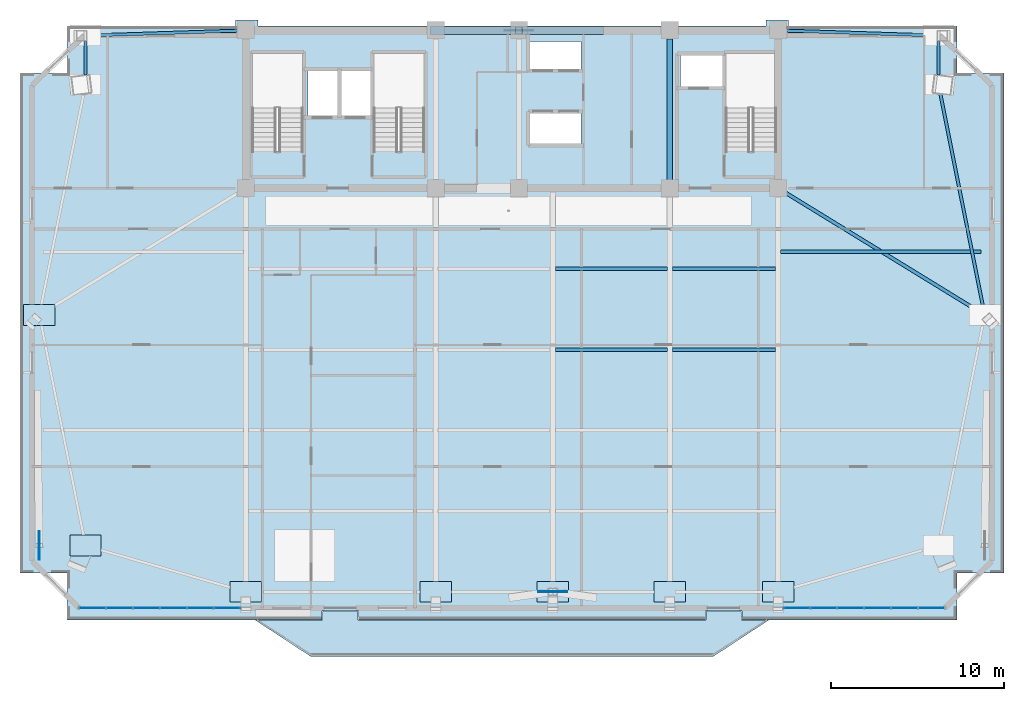
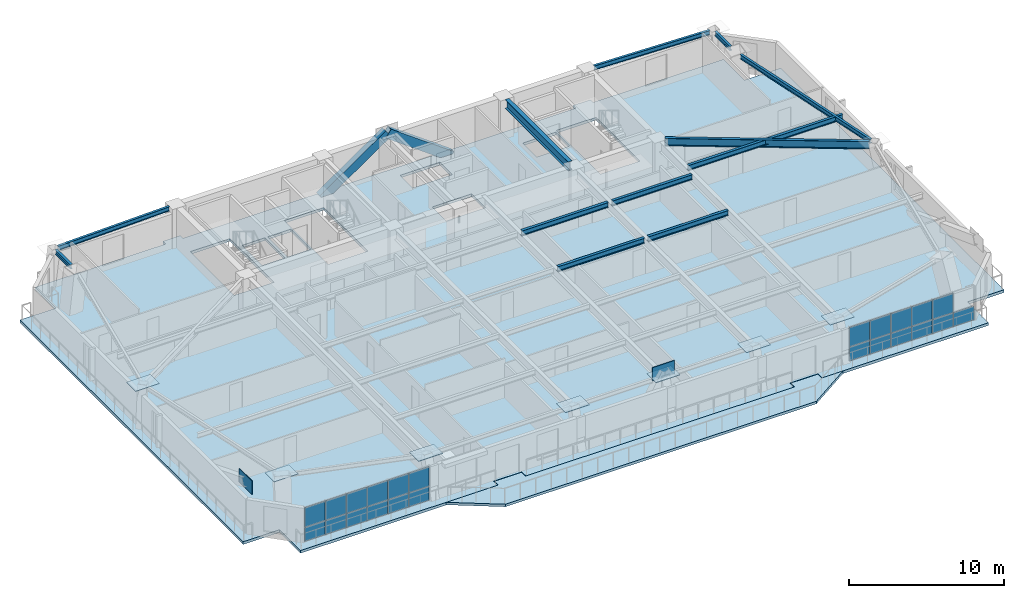
# One storey, part 7 of 16: 32 plates, 12 beams, 2 members, 2 slabs, 2 elements without a shape of their own.
"""IFC4 building model written with IfcOpenShell, lengths in metres."""

import ifcopenshell
import ifcopenshell.guid

model = None  # the IFC model being written
_history = None  # IfcOwnerHistory: only IFC2X3 demands one
_inside = {}  # id of a spatial element -> (the spatial element, [elements in it])
_under = {}  # id of a project, library or spatial element -> (it, [spatial elements below it])
_declared = {}  # id of a project -> (the project, [libraries it declares])
_typed = {}  # id of a type object -> (the type object, [elements of that type])
_made_of = {}  # id of a material, layer set ... -> (it, [elements and type objects made of it])


def new_model(schema):
    """Start an empty IFC model of exactly this schema.

    Asked for "IFC4X3", IfcOpenShell would pick the latest addendum, in which some entities
    have other attributes; the version numbers below select the first issue.
    IFC2X3 requires an IfcOwnerHistory on every rooted entity: one is made here for all.
    """
    global model, _history
    if schema == "IFC4X3":
        model = ifcopenshell.file(schema_version=(4, 3, 0, 0))
    else:
        model = ifcopenshell.file(schema=schema)
    _inside.clear()
    _under.clear()
    _declared.clear()
    _typed.clear()
    _made_of.clear()
    _history = None
    if model.schema == "IFC2X3":
        org = make("IfcOrganization", Name="unknown")
        user = make(
            "IfcPersonAndOrganization",
            ThePerson=make("IfcPerson", FamilyName="unknown"),
            TheOrganization=org,
        )
        app = make(
            "IfcApplication",
            ApplicationDeveloper=org,
            Version="unknown",
            ApplicationFullName="unknown",
            ApplicationIdentifier="unknown",
        )
        _history = make(
            "IfcOwnerHistory",
            OwningUser=user,
            OwningApplication=app,
            ChangeAction="ADDED",
            CreationDate=0,
        )
    return model


def make(cls, **values):
    """One entity of the class cls with the attributes given. An attribute that is None is left unset."""
    return model.create_entity(
        cls, **{name: value for name, value in values.items() if value is not None}
    )


def rooted(cls, **values):
    """An entity with a GlobalId (a new one), such as an element, a storey or a relation."""
    return make(cls, GlobalId=ifcopenshell.guid.new(), OwnerHistory=_history, **values)


def si_unit(unit_type, name, prefix=None):
    """IfcSIUnit, for example si_unit("LENGTHUNIT", "METRE", prefix="MILLI")."""
    return make("IfcSIUnit", UnitType=unit_type, Prefix=prefix, Name=name)


def assignment(units):
    """IfcUnitAssignment: the units of a project."""
    return None if units is None else make("IfcUnitAssignment", Units=units)


def point(xyz):
    """IfcCartesianPoint."""
    return None if xyz is None else make("IfcCartesianPoint", Coordinates=xyz)


def direction(xyz):
    """IfcDirection."""
    return None if xyz is None else make("IfcDirection", DirectionRatios=xyz)


def frame(location, z_axis=None, x_axis=None):
    """IfcAxis2Placement3D, a coordinate frame: its origin and axes. An axis left out is left unset."""
    return make(
        "IfcAxis2Placement3D",
        Location=point(location),
        Axis=direction(z_axis),
        RefDirection=direction(x_axis),
    )


def frame_2d(location, x_axis=None):
    """IfcAxis2Placement2D, a coordinate frame in the plane: its origin and x axis."""
    return make(
        "IfcAxis2Placement2D", Location=point(location), RefDirection=direction(x_axis)
    )


def origin():
    """The frame at (0, 0, 0) with its axes left unset."""
    return frame((0.0, 0.0, 0.0))


def origin_2d():
    """The frame at (0, 0) in the plane with its x axis left unset."""
    return frame_2d((0.0, 0.0))


def place(relative_to, where):
    """IfcLocalPlacement: puts the frame where relative to a parent placement (None: the world)."""
    return make(
        "IfcLocalPlacement", PlacementRelTo=relative_to, RelativePlacement=where
    )


def context(
    kind, dimensions, precision=None, world=None, true_north=None, identifier=None
):
    """IfcGeometricRepresentationContext, for example the 3D "Model" context."""
    return make(
        "IfcGeometricRepresentationContext",
        ContextIdentifier=identifier,
        ContextType=kind,
        CoordinateSpaceDimension=dimensions,
        Precision=precision,
        WorldCoordinateSystem=world,
        TrueNorth=true_north,
    )


def subcontext(parent, identifier, kind, view, scale=None):
    """IfcGeometricRepresentationSubContext, for example "Body" below "Model"."""
    return make(
        "IfcGeometricRepresentationSubContext",
        ContextIdentifier=identifier,
        ContextType=kind,
        ParentContext=parent,
        TargetScale=scale,
        TargetView=view,
    )


def project(units=None, contexts=None):
    """IfcProject with its units and contexts."""
    return rooted(
        "IfcProject",
        Name="project",
        RepresentationContexts=contexts,
        UnitsInContext=assignment(units),
    )


def spatial(cls, under=None, at=None, **own):
    """A site, building, storey or space (cls), placed at a placement, below another one or the project."""
    s = rooted(cls, ObjectPlacement=at, **own)
    if under is not None:
        _under.setdefault(under.id(), (under, []))[1].append(s)
    return s


def polyline(points):
    """IfcPolyline through the points."""
    return make("IfcPolyline", Points=[point(p) for p in points])


def profile(cls, at=None, kind="AREA", **sizes):
    """A parametric profile (cls). Its sizes go by their IFC names, for example OverallWidth=200.0."""
    return make(cls, ProfileType=kind, Position=at, **sizes)


def rectangle(**sizes):
    """IfcRectangleProfileDef."""
    return profile("IfcRectangleProfileDef", **sizes)


def hollow_rectangle(**sizes):
    """IfcRectangleHollowProfileDef."""
    return profile("IfcRectangleHollowProfileDef", **sizes)


def i_section(**sizes):
    """IfcIShapeProfileDef."""
    return profile("IfcIShapeProfileDef", **sizes)


def outline(outer, holes=None, kind="AREA"):
    """IfcArbitraryClosedProfileDef: a profile drawn as a closed curve; with holes, ...WithVoids."""
    if holes is None:
        return make("IfcArbitraryClosedProfileDef", ProfileType=kind, OuterCurve=outer)
    return make(
        "IfcArbitraryProfileDefWithVoids",
        ProfileType=kind,
        OuterCurve=outer,
        InnerCurves=holes,
    )


def extrude(swept, where, along, depth):
    """IfcExtrudedAreaSolid: the profile swept, set in the frame where, extruded along a direction by depth."""
    return make(
        "IfcExtrudedAreaSolid",
        SweptArea=swept,
        Position=where,
        ExtrudedDirection=direction(along),
        Depth=depth,
    )


def shape(context_of_items, identifier, shape_type, items):
    """IfcShapeRepresentation: the items that make up one representation, for example the "Body"."""
    return make(
        "IfcShapeRepresentation",
        ContextOfItems=context_of_items,
        RepresentationIdentifier=identifier,
        RepresentationType=shape_type,
        Items=items,
    )


def source(mapping_origin, context_of_items, identifier, shape_type, items):
    """IfcRepresentationMap: a shape defined once, which mapped items show again and again."""
    return make(
        "IfcRepresentationMap",
        MappingOrigin=mapping_origin,
        MappedRepresentation=shape(context_of_items, identifier, shape_type, items),
    )


def transform(
    local_origin,
    x_axis=None,
    y_axis=None,
    z_axis=None,
    scale=None,
    scale2=None,
    scale3=None,
    uniform=True,
):
    """IfcCartesianTransformationOperator3D, or its non-uniform kind. x_axis, y_axis, z_axis: its Axis1, 2, 3."""
    if uniform:
        return make(
            "IfcCartesianTransformationOperator3D",
            Axis1=direction(x_axis),
            Axis2=direction(y_axis),
            LocalOrigin=point(local_origin),
            Scale=scale,
            Axis3=direction(z_axis),
        )
    return make(
        "IfcCartesianTransformationOperator3DnonUniform",
        Axis1=direction(x_axis),
        Axis2=direction(y_axis),
        LocalOrigin=point(local_origin),
        Scale=scale,
        Axis3=direction(z_axis),
        Scale2=scale2,
        Scale3=scale3,
    )


def mapped(mapping_source, mapping_target):
    """IfcMappedItem: shows the shape of a source again, moved by a transform."""
    return make(
        "IfcMappedItem", MappingSource=mapping_source, MappingTarget=mapping_target
    )


def material(Name=None, Category=None):
    """IfcMaterial."""
    return make("IfcMaterial", Name=Name, Category=Category)


def layer(
    of_material, thickness, ventilated=None, Name=None, Category=None, Priority=None
):
    """IfcMaterialLayer: one layer of a wall or slab, of a material (None: an air gap)."""
    return make(
        "IfcMaterialLayer",
        Material=of_material,
        LayerThickness=thickness,
        IsVentilated=ventilated,
        Name=Name,
        Category=Category,
        Priority=Priority,
    )


def layer_set(layers, Name=None):
    """IfcMaterialLayerSet."""
    return make("IfcMaterialLayerSet", MaterialLayers=layers, LayerSetName=Name)


def material_profile(
    of_material, cross_section, Name=None, Category=None, Priority=None
):
    """IfcMaterialProfile: a cross section and its material."""
    return make(
        "IfcMaterialProfile",
        Name=Name,
        Material=of_material,
        Profile=cross_section,
        Priority=Priority,
        Category=Category,
    )


def profile_set(profiles, Name=None, composite=None):
    """IfcMaterialProfileSet."""
    return make(
        "IfcMaterialProfileSet",
        Name=Name,
        MaterialProfiles=profiles,
        CompositeProfile=composite,
    )


def made_of(thing, what):
    """Note that an element or type object is made of a material, layer set ...; save() writes the relation."""
    if what is not None:
        _made_of.setdefault(what.id(), (what, []))[1].append(thing)
    return thing


def type_object(cls, material=None, **own):
    """A type object (cls), such as IfcWallType, which elements share."""
    return made_of(rooted(cls, **own), material)


def element(
    cls,
    number,
    at=None,
    inside=None,
    cuts=None,
    type_object=None,
    material=None,
    context=None,
    identifier="Body",
    shape_type=None,
    held_by="IfcProductDefinitionShape",
    body=None,
    shapes=None,
    **own,
):
    """One element of the class cls, such as IfcWall. Its Tag is "e" and its number.

    at: its placement. inside: the storey or other place that contains it. cuts: it is an
    opening in that element (IfcRelVoidsElement). A single representation is given by context,
    identifier, shape_type and body (its items); several are given by shapes. held_by: the class
    of the entity that holds the representations. save() writes the other relations.
    """
    e = rooted(cls, Tag="e%d" % number, ObjectPlacement=at, **own)
    if body is not None:
        shapes = [shape(context, identifier, shape_type, body)]
    if shapes is not None:
        e.Representation = make(held_by, Representations=shapes)
    if inside is not None:
        _inside.setdefault(inside.id(), (inside, []))[1].append(e)
    if cuts is not None:
        rooted(
            "IfcRelVoidsElement", RelatingBuildingElement=cuts, RelatedOpeningElement=e
        )
    if type_object is not None:
        _typed.setdefault(type_object.id(), (type_object, []))[1].append(e)
    return made_of(e, material)


def aggregate(whole, parts):
    """IfcRelAggregates: a whole, such as a stair, and the parts it consists of."""
    return rooted("IfcRelAggregates", RelatingObject=whole, RelatedObjects=parts)


def save(model, path):
    """Write the relations noted so far, then the file.

    IfcRelAggregates (storeys below a building ...), IfcRelContainedInSpatialStructure (elements
    in a storey), IfcRelDefinesByType, IfcRelAssociatesMaterial and IfcRelDeclares: one each for
    every whole, place, type object, material and project.
    """
    for whole, parts in _under.values():
        aggregate(whole, parts)
    for where, things in _inside.values():
        rooted(
            "IfcRelContainedInSpatialStructure",
            RelatedElements=things,
            RelatingStructure=where,
        )
    for kind, things in _typed.values():
        rooted("IfcRelDefinesByType", RelatedObjects=things, RelatingType=kind)
    for what, things in _made_of.values():
        rooted("IfcRelAssociatesMaterial", RelatedObjects=things, RelatingMaterial=what)
    for by, libraries in _declared.values():
        rooted("IfcRelDeclares", RelatingContext=by, RelatedDefinitions=libraries)
    model.write(path)


model = new_model("IFC4")

# Units and contexts
model_context = context("Model", 3, precision=1e-05, world=origin(), true_north=direction((0.0, 1.0)))
body_context = subcontext(model_context, "Body", "Model", "MODEL_VIEW")
ifc_project = project(units=[si_unit("LENGTHUNIT", "METRE"), si_unit("AREAUNIT", "SQUARE_METRE"), si_unit("VOLUMEUNIT", "CUBIC_METRE"), si_unit("PLANEANGLEUNIT", "RADIAN"), si_unit("MASSUNIT", "GRAM", prefix="KILO")], contexts=[model_context])

# Site, building, storey
site_placement = place(None, origin())
site = spatial("IfcSite", under=ifc_project, at=site_placement, CompositionType="ELEMENT")
building_placement = place(site_placement, origin())
building = spatial("IfcBuilding", under=site, at=building_placement, Name="Giltprow Tower", CompositionType="ELEMENT")
storey_placement = place(building_placement, frame((0.0, 0.0, 233.800048828125)))
storey = spatial("IfcBuildingStorey", under=building, at=storey_placement, Name="L59", CompositionType="ELEMENT", Elevation=233.800048828125)

# Beams
ifc_material_1 = material(Name="Structural steel Q355B", Category="steel")
ifc_material_profile_1 = material_profile(ifc_material_1, i_section(OverallWidth=0.300048828125, OverallDepth=0.699951171875, WebThickness=0.012939453125, FlangeThickness=0.02392578125, at=origin_2d()), Name="HN 700x300x13x24")
ifc_profile_set_1 = profile_set([ifc_material_profile_1], Name="Structural steel Q355B")
beam_type_1 = type_object("IfcBeamType", Name="BM-GIRD-HN700", PredefinedType="BEAM", material=ifc_profile_set_1)
shared_shape_1 = source(origin(), body_context, "Body", "SweptSolid", [
    extrude(i_section(OverallWidth=0.300048828125, OverallDepth=0.699951171875, WebThickness=0.012939453125, FlangeThickness=0.02392578125, at=origin_2d()), origin(), (0.0, 0.0, 1.0), 8.1298828125),
])
beam_1_placement = place(storey_placement, frame((44.300048828125, 37.93505859375, 2.77001953125), z_axis=(0.0, 1.0, 0.0), x_axis=(-1.0, 0.0, 0.0)))
element("IfcBeam", 1, at=beam_1_placement, inside=storey, type_object=beam_type_1, Name="L59 Core Tie Girder M3", PredefinedType="BEAM", context=body_context, shape_type="MappedRepresentation", body=[
    mapped(shared_shape_1, transform((0.0, 0.0, 0.0), x_axis=(1.0, 0.0, 0.0), y_axis=(0.0, 1.0, 0.0), z_axis=(0.0, 0.0, 1.0), scale=1.0)),
])
ifc_material_profile_2 = material_profile(ifc_material_1, i_section(OverallWidth=0.199951171875, OverallDepth=0.39990234375, WebThickness=0.008056640625, FlangeThickness=0.012939453125, at=origin_2d()), Name="HN 400x200x8x13")
ifc_profile_set_2 = profile_set([ifc_material_profile_2], Name="Structural steel Q355B")
beam_type_2 = type_object("IfcBeamType", Name="BM-JOIST-HN400", PredefinedType="JOIST", material=ifc_profile_set_2)
shared_shape_2 = source(origin(), body_context, "Body", "SweptSolid", [
    extrude(i_section(OverallWidth=0.199951171875, OverallDepth=0.39990234375, WebThickness=0.008056640625, FlangeThickness=0.012939453125, at=origin_2d()), origin(), (0.0, 0.0, 1.0), 6.4599609375),
])
for number, where, z_axis, x_axis, name in (
    (2, (37.695068359375, 28.14306640625, 2.919921875), (1.0, 0.0, 0.0), (0.0, 1.0, 0.0), "L59 Composite Floor Joist 3-3"),
    (3, (37.695068359375, 32.7958984375, 2.919921875), (1.0, 0.0, 0.0), (0.0, 1.0, 0.0), "L59 Composite Floor Joist 4-3"),
):
    element("IfcBeam", number, at=place(storey_placement, frame(where, z_axis=z_axis, x_axis=x_axis)), inside=storey, type_object=beam_type_2, Name=name, PredefinedType="JOIST", context=body_context, shape_type="MappedRepresentation", body=[
        mapped(shared_shape_2, transform((0.0, 0.0, 0.0), x_axis=(1.0, 0.0, 0.0), y_axis=(0.0, 1.0, 0.0), z_axis=(0.0, 0.0, 1.0), scale=1.0)),
    ])
shared_shape_3 = source(origin(), body_context, "Body", "SweptSolid", [
    extrude(i_section(OverallWidth=0.199951171875, OverallDepth=0.39990234375, WebThickness=0.008056640625, FlangeThickness=0.012939453125, at=origin_2d()), origin(), (0.0, 0.0, 1.0), 5.9599609375),
])
for number, where, z_axis, x_axis, name in (
    (4, (44.445068359375, 28.14306640625, 2.919921875), (1.0, 0.0, 0.0), (0.0, 1.0, 0.0), "L59 Composite Floor Joist 3-4"),
    (5, (44.445068359375, 32.7958984375, 2.919921875), (1.0, 0.0, 0.0), (0.0, 1.0, 0.0), "L59 Composite Floor Joist 4-4"),
):
    element("IfcBeam", number, at=place(storey_placement, frame(where, z_axis=z_axis, x_axis=x_axis)), inside=storey, type_object=beam_type_2, Name=name, PredefinedType="JOIST", context=body_context, shape_type="MappedRepresentation", body=[
        mapped(shared_shape_3, transform((0.0, 0.0, 0.0), x_axis=(1.0, 0.0, 0.0), y_axis=(0.0, 1.0, 0.0), z_axis=(0.0, 0.0, 1.0), scale=1.0)),
    ])
ifc_material_profile_3 = material_profile(ifc_material_1, i_section(OverallWidth=0.175048828125, OverallDepth=0.35009765625, WebThickness=0.007080078125, FlangeThickness=0.010986328125, at=origin_2d()), Name="HN 350x175x7x11")
ifc_profile_set_3 = profile_set([ifc_material_profile_3], Name="Structural steel Q355B")
beam_type_3 = type_object("IfcBeamType", Name="BM-SPAN-HN350", PredefinedType="SPANDREL", material=ifc_profile_set_3)
shared_shape_4 = source(origin(), body_context, "Body", "SweptSolid", [
    extrude(i_section(OverallWidth=0.175048828125, OverallDepth=0.35009765625, WebThickness=0.007080078125, FlangeThickness=0.010986328125, at=origin_2d()), origin(), (0.0, 0.0, 1.0), 12.74169921875),
])
beam_2_placement = place(storey_placement, frame((62.39599609375, 30.419921875, 2.945068359375), z_axis=(-0.19620456789, 0.980562984993, 0.0), x_axis=(-0.980562984993, -0.19620456789, 0.0)))
element("IfcBeam", 6, at=beam_2_placement, inside=storey, type_object=beam_type_3, Name="L59 Perimeter Spandrel Beam E_MID-MC_NE", PredefinedType="SPANDREL", context=body_context, shape_type="MappedRepresentation", body=[
    mapped(shared_shape_4, transform((0.0, 0.0, 0.0), x_axis=(1.0, 0.0, 0.0), y_axis=(0.0, 1.0, 0.0), z_axis=(0.0, 0.0, 1.0), scale=1.0)),
])
shared_shape_5 = source(origin(), body_context, "Body", "SweptSolid", [
    extrude(i_section(OverallWidth=0.175048828125, OverallDepth=0.35009765625, WebThickness=0.007080078125, FlangeThickness=0.010986328125, at=origin_2d()), origin(), (0.0, 0.0, 1.0), 1.990966796875),
])
for number, where, z_axis, x_axis, name in (
    (7, (59.791015625, 43.97412109375, 2.945068359375), (0.0, 1.0, 0.0), (-1.0, 0.0, 0.0), "L59 Perimeter Spandrel Beam MC_NE-N_E"),
    (8, (10.60888671875, 45.965087890625, 2.945068359375), (0.0, -1.0, 0.0), (1.0, 0.0, 0.0), "L59 Perimeter Spandrel Beam N_W-MC_NW"),
):
    element("IfcBeam", number, at=place(storey_placement, frame(where, z_axis=z_axis, x_axis=x_axis)), inside=storey, type_object=beam_type_3, Name=name, PredefinedType="SPANDREL", context=body_context, shape_type="MappedRepresentation", body=[
        mapped(shared_shape_5, transform((0.0, 0.0, 0.0), x_axis=(1.0, 0.0, 0.0), y_axis=(0.0, 1.0, 0.0), z_axis=(0.0, 0.0, 1.0), scale=1.0)),
    ])
shared_shape_6 = source(origin(), body_context, "Body", "SweptSolid", [
    extrude(i_section(OverallWidth=0.175048828125, OverallDepth=0.35009765625, WebThickness=0.007080078125, FlangeThickness=0.010986328125, at=origin_2d()), origin(), (0.0, 0.0, 1.0), 8.475341796875),
])
beam_3_placement = place(storey_placement, frame((10.89404296875, 46.259033203125, 2.945068359375), z_axis=(0.999473837293, 0.032435298175, 0.0), x_axis=(-0.032435298175, 0.999473837293, 0.0)))
element("IfcBeam", 9, at=beam_3_placement, inside=storey, type_object=beam_type_3, Name="L59 North Wing Spandrel W", PredefinedType="SPANDREL", context=body_context, shape_type="MappedRepresentation", body=[
    mapped(shared_shape_6, transform((0.0, 0.0, 0.0), x_axis=(1.0, 0.0, 0.0), y_axis=(0.0, 1.0, 0.0), z_axis=(0.0, 0.0, 1.0), scale=1.0)),
])
shared_shape_7 = source(origin(), body_context, "Body", "SweptSolid", [
    extrude(i_section(OverallWidth=0.175048828125, OverallDepth=0.35009765625, WebThickness=0.007080078125, FlangeThickness=0.010986328125, at=origin_2d()), origin(), (0.0, 0.0, 1.0), 8.4755859375),
])
beam_4_placement = place(storey_placement, frame((51.034912109375, 46.533935546875, 2.945068359375), z_axis=(0.999473867596, -0.03243436437, 0.0), x_axis=(0.03243436437, 0.999473867596, 0.0)))
element("IfcBeam", 10, at=beam_4_placement, inside=storey, type_object=beam_type_3, Name="L59 North Wing Spandrel E", PredefinedType="SPANDREL", context=body_context, shape_type="MappedRepresentation", body=[
    mapped(shared_shape_7, transform((0.0, 0.0, 0.0), x_axis=(1.0, 0.0, 0.0), y_axis=(0.0, 1.0, 0.0), z_axis=(0.0, 0.0, 1.0), scale=1.0)),
])
ifc_material_profile_4 = material_profile(ifc_material_1, i_section(OverallWidth=0.199951171875, OverallDepth=0.60009765625, WebThickness=0.010986328125, FlangeThickness=0.01708984375, at=origin_2d()), Name="HN 600x200x11x17")
ifc_profile_set_4 = profile_set([ifc_material_profile_4], Name="Structural steel Q355B")
beam_type_4 = type_object("IfcBeamType", Name="BM-GIRD-HN600", PredefinedType="BEAM", material=ifc_profile_set_4)
shared_shape_8 = source(origin(), body_context, "Body", "SweptSolid", [
    extrude(i_section(OverallWidth=0.199951171875, OverallDepth=0.60009765625, WebThickness=0.010986328125, FlangeThickness=0.01708984375, at=origin_2d()), origin(), (0.0, 0.0, 1.0), 13.197265625),
])
beam_5_placement = place(storey_placement, frame((62.208984375, 30.2900390625, 2.820068359375), z_axis=(-0.85215400358, 0.523291079786, 0.0), x_axis=(-0.523291079786, -0.85215400358, 0.0)))
element("IfcBeam", 11, at=beam_5_placement, inside=storey, type_object=beam_type_4, Name="L59 East Wing Primary Girder", PredefinedType="BEAM", context=body_context, shape_type="MappedRepresentation", body=[
    mapped(shared_shape_8, transform((0.0, 0.0, 0.0), x_axis=(1.0, 0.0, 0.0), y_axis=(0.0, 1.0, 0.0), z_axis=(0.0, 0.0, 1.0), scale=1.0)),
])
shared_shape_9 = source(origin(), body_context, "Body", "SweptSolid", [
    extrude(i_section(OverallWidth=0.199951171875, OverallDepth=0.39990234375, WebThickness=0.008056640625, FlangeThickness=0.012939453125, at=origin_2d()), origin(), (0.0, 0.0, 1.0), 11.536865234375),
])
beam_6_placement = place(storey_placement, frame((50.695068359375, 33.7958984375, 2.919921875), z_axis=(1.0, 0.0, 0.0), x_axis=(0.0, 1.0, 0.0)))
element("IfcBeam", 12, at=beam_6_placement, inside=storey, type_object=beam_type_2, Name="L59 East Wing Floor Joist 2", PredefinedType="JOIST", context=body_context, shape_type="MappedRepresentation", body=[
    mapped(shared_shape_9, transform((0.0, 0.0, 0.0), x_axis=(1.0, 0.0, 0.0), y_axis=(0.0, 1.0, 0.0), z_axis=(0.0, 0.0, 1.0), scale=1.0)),
])

# Members
ifc_material_2 = material(Name="Structural steel Q420GJC", Category="steel")
ifc_material_profile_5 = material_profile(ifc_material_2, hollow_rectangle(XDim=0.449951171875, YDim=0.699951171875, WallThickness=0.031982421875, at=origin_2d()), Name="RHS 700x450x32")
ifc_profile_set_5 = profile_set([ifc_material_profile_5], Name="Structural steel Q420GJC")
member_type = type_object("IfcMemberType", Name="MBR-MEGA-RHS700", PredefinedType="BRACE", material=ifc_profile_set_5)
shared_shape_10 = source(origin(), body_context, "Body", "SweptSolid", [
    extrude(hollow_rectangle(XDim=0.449951171875, YDim=0.699951171875, WallThickness=0.031982421875, at=origin_2d()), origin(), (0.0, 0.0, 1.0), 5.774169921875),
])
member_1_placement = place(storey_placement, frame((40.26708984375, 46.550048828125, -0.14013671875), z_axis=(-0.808243970451, 0.0, 0.588847759807), x_axis=(0.0, -1.0, 0.0)))
element("IfcMember", 13, at=member_1_placement, inside=storey, type_object=member_type, Name="L59 Chevron Mega-Brace N-R", PredefinedType="BRACE", context=body_context, shape_type="MappedRepresentation", body=[
    mapped(shared_shape_10, transform((0.0, 0.0, 0.0), x_axis=(1.0, 0.0, 0.0), y_axis=(0.0, 1.0, 0.0), z_axis=(0.0, 0.0, 1.0), scale=1.0)),
])
shared_shape_11 = source(origin(), body_context, "Body", "SweptSolid", [
    extrude(hollow_rectangle(XDim=0.449951171875, YDim=0.699951171875, WallThickness=0.031982421875, at=origin_2d()), origin(), (0.0, 0.0, 1.0), 5.991455078125),
])
member_2_placement = place(storey_placement, frame((30.6669921875, 46.550048828125, -0.14013671875), z_axis=(0.823368394688, 0.0, 0.567507256895), x_axis=(0.0, 1.0, 0.0)))
element("IfcMember", 14, at=member_2_placement, inside=storey, type_object=member_type, Name="L59 Chevron Mega-Brace N-L", PredefinedType="BRACE", context=body_context, shape_type="MappedRepresentation", body=[
    mapped(shared_shape_11, transform((0.0, 0.0, 0.0), x_axis=(1.0, 0.0, 0.0), y_axis=(0.0, 1.0, 0.0), z_axis=(0.0, 0.0, 1.0), scale=1.0)),
])

# Slabs
ifc_material_3 = material(Name="Concrete C40", Category="concrete")
ifc_layer_1 = layer(ifc_material_3, 0.199951171875, Name="Concrete C40")
ifc_layer_set_1 = layer_set([ifc_layer_1], Name="Concrete C40")
slab_type_1 = type_object("IfcSlabType", Name="SLB-BALC-BRONZE-200", PredefinedType="FLOOR", material=ifc_layer_set_1)
slab_1_placement = place(storey_placement, frame((0.0, 0.0, -0.199951171875)))
element("IfcSlab", 15, at=slab_1_placement, inside=storey, type_object=slab_type_1, Name="L59 Bronze Prow Waterfront Balcony Slab", PredefinedType="FLOOR", context=body_context, shape_type="SweptSolid", body=[
    extrude(outline(polyline([(50.0, 12.550048828125), (46.800048828125, 10.449951171875), (23.60009765625, 10.449951171875), (20.39990234375, 12.550048828125), (24.280029296875, 12.550048828125), (24.280029296875, 13.050048828125), (26.320068359375, 13.050048828125), (26.320068359375, 12.550048828125), (46.3798828125, 12.550048828125), (46.3798828125, 13.050048828125), (48.419921875, 13.050048828125), (48.419921875, 12.550048828125), (50.0, 12.550048828125)])), origin(), (0.0, 0.0, 1.0), 0.199951171875),
])
ifc_layer_2 = layer(ifc_material_3, 0.215087890625, Name="Concrete C40")
ifc_layer_set_2 = layer_set([ifc_layer_2], Name="Concrete C40")
slab_type_2 = type_object("IfcSlabType", Name="SLB-RES-215", PredefinedType="FLOOR", material=ifc_layer_set_2)
slab_2_placement = place(storey_placement, frame((0.0, 0.0, -0.215087890625)))
element("IfcSlab", 16, at=slab_2_placement, inside=storey, type_object=slab_type_2, Name="L59 Structural Composite Floor Slab", PredefinedType="FLOOR", context=body_context, shape_type="SweptSolid", body=[
    extrude(outline(polyline([(63.56689453125, 44.093017578125), (63.56689453125, 15.257080078125), (60.860107421875, 15.257080078125), (60.860107421875, 12.550048828125), (48.449951171875, 12.550048828125), (48.449951171875, 13.070068359375), (46.35009765625, 13.070068359375), (46.35009765625, 12.550048828125), (26.35009765625, 12.550048828125), (26.35009765625, 13.070068359375), (24.25, 13.070068359375), (24.25, 12.550048828125), (9.5400390625, 12.550048828125), (9.5400390625, 15.257080078125), (6.8330078125, 15.257080078125), (6.8330078125, 44.093017578125), (9.5400390625, 44.093017578125), (9.5400390625, 46.800048828125), (19.25, 46.800048828125), (19.25, 47.14990234375), (20.550048828125, 47.14990234375), (20.550048828125, 46.800048828125), (49.85009765625, 46.800048828125), (49.85009765625, 47.14990234375), (51.14990234375, 47.14990234375), (51.14990234375, 46.800048828125), (60.860107421875, 46.800048828125), (60.860107421875, 44.093017578125), (63.56689453125, 44.093017578125)]), holes=[polyline([(39.18994140625, 41.800048828125), (36.239990234375, 41.800048828125), (36.239990234375, 40.0), (39.18994140625, 40.0), (39.18994140625, 41.800048828125)]), polyline([(23.159912109375, 39.570068359375), (23.159912109375, 45.25), (20.199951171875, 45.25), (20.199951171875, 39.570068359375), (23.159912109375, 39.570068359375)]), polyline([(30.159912109375, 39.570068359375), (30.159912109375, 45.25), (27.199951171875, 45.25), (27.199951171875, 39.570068359375), (30.159912109375, 39.570068359375)]), polyline([(50.4599609375, 45.25), (47.5, 45.25), (47.5, 39.570068359375), (50.4599609375, 39.570068359375), (50.4599609375, 45.25)]), polyline([(25.169921875, 44.199951171875), (23.449951171875, 44.199951171875), (23.449951171875, 41.60009765625), (25.169921875, 41.60009765625), (25.169921875, 44.199951171875)]), polyline([(27.10009765625, 44.199951171875), (25.35009765625, 44.199951171875), (25.35009765625, 41.60009765625), (27.10009765625, 41.60009765625), (27.10009765625, 44.199951171875)]), polyline([(47.3798828125, 43.300048828125), (47.3798828125, 45.10009765625), (44.919921875, 45.10009765625), (44.919921875, 43.300048828125), (47.3798828125, 43.300048828125)]), polyline([(39.18994140625, 44.300048828125), (39.18994140625, 45.919921875), (36.239990234375, 45.919921875), (36.239990234375, 44.300048828125), (39.18994140625, 44.300048828125)])]), origin(), (0.0, 0.0, 1.0), 0.215087890625),
])

# Plates
plate_type_1 = type_object("IfcPlateType", Name="PLT-NODE-CKN1", PredefinedType="USERDEFINED", material=ifc_material_2)
shared_shape_12 = source(origin(), body_context, "Body", "SweptSolid", [
    extrude(rectangle(XDim=1.800048828125, YDim=1.199951171875, at=origin_2d()), origin(), (0.0, 0.0, 1.0), 0.044921875),
])
for number, where, z_axis, x_axis, name in (
    (17, (10.60888671875, 16.843017578125, 3.077392578125), (0.0, 0.0, 1.0), (1.0, 0.0, 0.0), "CKN1 Column Taper Splice Node L59-MC_SW"),
    (18, (19.85009765625, 14.181884765625, 3.077392578125), (0.0, 0.0, 1.0), (1.0, 0.0, 0.0), "CKN1 Column Taper Splice Node L59-S1"),
    (19, (30.800048828125, 14.181884765625, 3.077392578125), (0.0, 0.0, 1.0), (1.0, 0.0, 0.0), "CKN1 Column Taper Splice Node L59-S2"),
    (20, (37.550048828125, 14.181884765625, 3.077392578125), (0.0, 0.0, 1.0), (1.0, 0.0, 0.0), "CKN1 Column Taper Splice Node L59-S_MID"),
    (21, (44.300048828125, 14.181884765625, 3.077392578125), (0.0, 0.0, 1.0), (1.0, 0.0, 0.0), "CKN1 Column Taper Splice Node L59-S3"),
    (22, (50.550048828125, 14.181884765625, 3.077392578125), (0.0, 0.0, 1.0), (1.0, 0.0, 0.0), "CKN1 Column Taper Splice Node L59-S4"),
    (23, (7.947998046875, 30.14111328125, 3.077392578125), (0.0, 0.0, 1.0), (1.0, 0.0, 0.0), "CKN1 Column Taper Splice Node L59-W_MID"),
):
    element("IfcPlate", number, at=place(storey_placement, frame(where, z_axis=z_axis, x_axis=x_axis)), inside=storey, type_object=plate_type_1, Name=name, ObjectType="SPLICE", PredefinedType="USERDEFINED", context=body_context, shape_type="MappedRepresentation", body=[
        mapped(shared_shape_12, transform((0.0, 0.0, 0.0), x_axis=(1.0, 0.0, 0.0), y_axis=(0.0, 1.0, 0.0), z_axis=(0.0, 0.0, 1.0), scale=1.0)),
    ])
plate_type_2 = type_object("IfcPlateType", Name="PLT-NODE-MBN2", PredefinedType="USERDEFINED", material=ifc_material_2)
shared_shape_13 = source(origin(), body_context, "Body", "SweptSolid", [
    extrude(rectangle(XDim=1.64990234375, YDim=0.044921875, at=origin_2d()), origin(), (0.0, 0.0, 1.0), 1.050048828125),
])
for number, where, z_axis, x_axis, name in (
    (24, (37.550048828125, 14.181884765625, 2.875), (0.0, 0.0, 1.0), (1.0, 0.0, 0.0), "Mega-Brace Node L59-S-LB"),
    (25, (7.947998046875, 16.843017578125, 2.875), (0.0, 0.0, 1.0), (0.0, 1.0, 0.0), "Mega-Brace Node L59-W-DB"),
):
    element("IfcPlate", number, at=place(storey_placement, frame(where, z_axis=z_axis, x_axis=x_axis)), inside=storey, type_object=plate_type_2, Name=name, ObjectType="GUSSET", PredefinedType="USERDEFINED", context=body_context, shape_type="MappedRepresentation", body=[
        mapped(shared_shape_13, transform((0.0, 0.0, 0.0), x_axis=(1.0, 0.0, 0.0), y_axis=(0.0, 1.0, 0.0), z_axis=(0.0, 0.0, 1.0), scale=1.0)),
    ])

# Curtain wall, plates
ifc_material_4 = material(Name="Anodized bronze", Category="metal")
ifc_layer_3 = layer(ifc_material_4, 0.179931640625, Name="Anodized bronze")
ifc_layer_set_3 = layer_set([ifc_layer_3], Name="Anodized bronze")
curtain_wall_type = type_object("IfcCurtainWallType", Name="CW-RES-SKY", PredefinedType="NOTDEFINED", material=ifc_layer_set_3)
curtain_wall_1_placement = place(storey_placement, origin())
curtain_wall_1 = element("IfcCurtainWall", 26, at=curtain_wall_1_placement, inside=storey, type_object=curtain_wall_type, Name="L59 South Recessed Curtain Wall 1", PredefinedType="NOTDEFINED")
ifc_material_5 = material(Name="Insulated glass", Category="glass")
plate_type_3 = type_object("IfcPlateType", Name="CW-PANEL-IGU-28", PredefinedType="CURTAIN_PANEL", material=ifc_material_5)
shared_shape_14 = source(origin(), body_context, "Body", "SweptSolid", [
    extrude(rectangle(XDim=1.52197265625, YDim=0.028076171875, at=origin_2d()), origin(), (0.0, 0.0, 1.0), 1.0869140625),
])
plate_1_placement = place(storey_placement, frame((11.01611328125, 13.25, 0.054443359375), z_axis=(0.0, 0.0, 1.0), x_axis=(1.0, 0.0, 0.0)))
plate_1 = element("IfcPlate", 27, at=plate_1_placement, type_object=plate_type_3, Name="L59 South Recessed Curtain Wall 1 Glazing Panel 1-1", PredefinedType="CURTAIN_PANEL", context=body_context, shape_type="MappedRepresentation", body=[
    mapped(shared_shape_14, transform((0.0, 0.0, 0.0), x_axis=(1.0, 0.0, 0.0), y_axis=(0.0, 1.0, 0.0), z_axis=(0.0, 0.0, 1.0), scale=1.0)),
])
plate_2_placement = place(storey_placement, frame((12.568115234375, 13.25, 0.054443359375), z_axis=(0.0, 0.0, 1.0), x_axis=(1.0, 0.0, 0.0)))
plate_2 = element("IfcPlate", 28, at=plate_2_placement, type_object=plate_type_3, Name="L59 South Recessed Curtain Wall 1 Glazing Panel 2-1", PredefinedType="CURTAIN_PANEL", context=body_context, shape_type="MappedRepresentation", body=[
    mapped(shared_shape_14, transform((0.0, 0.0, 0.0), x_axis=(1.0, 0.0, 0.0), y_axis=(0.0, 1.0, 0.0), z_axis=(0.0, 0.0, 1.0), scale=1.0)),
])
plate_3_placement = place(storey_placement, frame((14.118896484375, 13.25, 0.054443359375), z_axis=(0.0, 0.0, 1.0), x_axis=(1.0, 0.0, 0.0)))
plate_3 = element("IfcPlate", 29, at=plate_3_placement, type_object=plate_type_3, Name="L59 South Recessed Curtain Wall 1 Glazing Panel 3-1", PredefinedType="CURTAIN_PANEL", context=body_context, shape_type="MappedRepresentation", body=[
    mapped(shared_shape_14, transform((0.0, 0.0, 0.0), x_axis=(1.0, 0.0, 0.0), y_axis=(0.0, 1.0, 0.0), z_axis=(0.0, 0.0, 1.0), scale=1.0)),
])
plate_4_placement = place(storey_placement, frame((15.6708984375, 13.25, 0.054443359375), z_axis=(0.0, 0.0, 1.0), x_axis=(1.0, 0.0, 0.0)))
plate_4 = element("IfcPlate", 30, at=plate_4_placement, type_object=plate_type_3, Name="L59 South Recessed Curtain Wall 1 Glazing Panel 4-1", PredefinedType="CURTAIN_PANEL", context=body_context, shape_type="MappedRepresentation", body=[
    mapped(shared_shape_14, transform((0.0, 0.0, 0.0), x_axis=(1.0, 0.0, 0.0), y_axis=(0.0, 1.0, 0.0), z_axis=(0.0, 0.0, 1.0), scale=1.0)),
])
plate_5_placement = place(storey_placement, frame((17.222900390625, 13.25, 0.054443359375), z_axis=(0.0, 0.0, 1.0), x_axis=(1.0, 0.0, 0.0)))
plate_5 = element("IfcPlate", 31, at=plate_5_placement, type_object=plate_type_3, Name="L59 South Recessed Curtain Wall 1 Glazing Panel 5-1", PredefinedType="CURTAIN_PANEL", context=body_context, shape_type="MappedRepresentation", body=[
    mapped(shared_shape_14, transform((0.0, 0.0, 0.0), x_axis=(1.0, 0.0, 0.0), y_axis=(0.0, 1.0, 0.0), z_axis=(0.0, 0.0, 1.0), scale=1.0)),
])
plate_6_placement = place(storey_placement, frame((18.77392578125, 13.25, 0.054443359375), z_axis=(0.0, 0.0, 1.0), x_axis=(1.0, 0.0, 0.0)))
plate_6 = element("IfcPlate", 32, at=plate_6_placement, type_object=plate_type_3, Name="L59 South Recessed Curtain Wall 1 Glazing Panel 6-1", PredefinedType="CURTAIN_PANEL", context=body_context, shape_type="MappedRepresentation", body=[
    mapped(shared_shape_14, transform((0.0, 0.0, 0.0), x_axis=(1.0, 0.0, 0.0), y_axis=(0.0, 1.0, 0.0), z_axis=(0.0, 0.0, 1.0), scale=1.0)),
])

curtain_wall_2_placement = place(storey_placement, origin())
curtain_wall_2 = element("IfcCurtainWall", 33, at=curtain_wall_2_placement, inside=storey, type_object=curtain_wall_type, Name="L59 South Recessed Curtain Wall 6", PredefinedType="NOTDEFINED")
plate_7_placement = place(storey_placement, frame((51.6259765625, 13.25, 0.054443359375), z_axis=(0.0, 0.0, 1.0), x_axis=(1.0, 0.0, 0.0)))
plate_7 = element("IfcPlate", 34, at=plate_7_placement, type_object=plate_type_3, Name="L59 South Recessed Curtain Wall 6 Glazing Panel 1-1", PredefinedType="CURTAIN_PANEL", context=body_context, shape_type="MappedRepresentation", body=[
    mapped(shared_shape_14, transform((0.0, 0.0, 0.0), x_axis=(1.0, 0.0, 0.0), y_axis=(0.0, 1.0, 0.0), z_axis=(0.0, 0.0, 1.0), scale=1.0)),
])
plate_8_placement = place(storey_placement, frame((53.177978515625, 13.25, 0.054443359375), z_axis=(0.0, 0.0, 1.0), x_axis=(1.0, 0.0, 0.0)))
plate_8 = element("IfcPlate", 35, at=plate_8_placement, type_object=plate_type_3, Name="L59 South Recessed Curtain Wall 6 Glazing Panel 2-1", PredefinedType="CURTAIN_PANEL", context=body_context, shape_type="MappedRepresentation", body=[
    mapped(shared_shape_14, transform((0.0, 0.0, 0.0), x_axis=(1.0, 0.0, 0.0), y_axis=(0.0, 1.0, 0.0), z_axis=(0.0, 0.0, 1.0), scale=1.0)),
])
plate_9_placement = place(storey_placement, frame((54.72900390625, 13.25, 0.054443359375), z_axis=(0.0, 0.0, 1.0), x_axis=(1.0, 0.0, 0.0)))
plate_9 = element("IfcPlate", 36, at=plate_9_placement, type_object=plate_type_3, Name="L59 South Recessed Curtain Wall 6 Glazing Panel 3-1", PredefinedType="CURTAIN_PANEL", context=body_context, shape_type="MappedRepresentation", body=[
    mapped(shared_shape_14, transform((0.0, 0.0, 0.0), x_axis=(1.0, 0.0, 0.0), y_axis=(0.0, 1.0, 0.0), z_axis=(0.0, 0.0, 1.0), scale=1.0)),
])
plate_10_placement = place(storey_placement, frame((56.281005859375, 13.25, 0.054443359375), z_axis=(0.0, 0.0, 1.0), x_axis=(1.0, 0.0, 0.0)))
plate_10 = element("IfcPlate", 37, at=plate_10_placement, type_object=plate_type_3, Name="L59 South Recessed Curtain Wall 6 Glazing Panel 4-1", PredefinedType="CURTAIN_PANEL", context=body_context, shape_type="MappedRepresentation", body=[
    mapped(shared_shape_14, transform((0.0, 0.0, 0.0), x_axis=(1.0, 0.0, 0.0), y_axis=(0.0, 1.0, 0.0), z_axis=(0.0, 0.0, 1.0), scale=1.0)),
])
plate_11_placement = place(storey_placement, frame((57.83203125, 13.25, 0.054443359375), z_axis=(0.0, 0.0, 1.0), x_axis=(1.0, 0.0, 0.0)))
plate_11 = element("IfcPlate", 38, at=plate_11_placement, type_object=plate_type_3, Name="L59 South Recessed Curtain Wall 6 Glazing Panel 5-1", PredefinedType="CURTAIN_PANEL", context=body_context, shape_type="MappedRepresentation", body=[
    mapped(shared_shape_14, transform((0.0, 0.0, 0.0), x_axis=(1.0, 0.0, 0.0), y_axis=(0.0, 1.0, 0.0), z_axis=(0.0, 0.0, 1.0), scale=1.0)),
])
plate_12_placement = place(storey_placement, frame((59.384033203125, 13.25, 0.054443359375), z_axis=(0.0, 0.0, 1.0), x_axis=(1.0, 0.0, 0.0)))
plate_12 = element("IfcPlate", 39, at=plate_12_placement, type_object=plate_type_3, Name="L59 South Recessed Curtain Wall 6 Glazing Panel 6-1", PredefinedType="CURTAIN_PANEL", context=body_context, shape_type="MappedRepresentation", body=[
    mapped(shared_shape_14, transform((0.0, 0.0, 0.0), x_axis=(1.0, 0.0, 0.0), y_axis=(0.0, 1.0, 0.0), z_axis=(0.0, 0.0, 1.0), scale=1.0)),
])

# Plate
shared_shape_15 = source(origin(), body_context, "Body", "SweptSolid", [
    extrude(rectangle(XDim=1.52197265625, YDim=0.028076171875, at=origin_2d()), origin(), (0.0, 0.0, 1.0), 1.527099609375),
])
plate_13_placement = place(storey_placement, frame((11.01611328125, 13.25, 1.16943359375), z_axis=(0.0, 0.0, 1.0), x_axis=(1.0, 0.0, 0.0)))
plate_13 = element("IfcPlate", 40, at=plate_13_placement, type_object=plate_type_3, Name="L59 South Recessed Curtain Wall 1 Glazing Panel 1-2", PredefinedType="CURTAIN_PANEL", context=body_context, shape_type="MappedRepresentation", body=[
    mapped(shared_shape_15, transform((0.0, 0.0, 0.0), x_axis=(1.0, 0.0, 0.0), y_axis=(0.0, 1.0, 0.0), z_axis=(0.0, 0.0, 1.0), scale=1.0)),
])

plate_14_placement = place(storey_placement, frame((12.568115234375, 13.25, 1.16943359375), z_axis=(0.0, 0.0, 1.0), x_axis=(1.0, 0.0, 0.0)))
plate_14 = element("IfcPlate", 41, at=plate_14_placement, type_object=plate_type_3, Name="L59 South Recessed Curtain Wall 1 Glazing Panel 2-2", PredefinedType="CURTAIN_PANEL", context=body_context, shape_type="MappedRepresentation", body=[
    mapped(shared_shape_15, transform((0.0, 0.0, 0.0), x_axis=(1.0, 0.0, 0.0), y_axis=(0.0, 1.0, 0.0), z_axis=(0.0, 0.0, 1.0), scale=1.0)),
])

plate_15_placement = place(storey_placement, frame((14.118896484375, 13.25, 1.16943359375), z_axis=(0.0, 0.0, 1.0), x_axis=(1.0, 0.0, 0.0)))
plate_15 = element("IfcPlate", 42, at=plate_15_placement, type_object=plate_type_3, Name="L59 South Recessed Curtain Wall 1 Glazing Panel 3-2", PredefinedType="CURTAIN_PANEL", context=body_context, shape_type="MappedRepresentation", body=[
    mapped(shared_shape_15, transform((0.0, 0.0, 0.0), x_axis=(1.0, 0.0, 0.0), y_axis=(0.0, 1.0, 0.0), z_axis=(0.0, 0.0, 1.0), scale=1.0)),
])

plate_16_placement = place(storey_placement, frame((15.6708984375, 13.25, 1.16943359375), z_axis=(0.0, 0.0, 1.0), x_axis=(1.0, 0.0, 0.0)))
plate_16 = element("IfcPlate", 43, at=plate_16_placement, type_object=plate_type_3, Name="L59 South Recessed Curtain Wall 1 Glazing Panel 4-2", PredefinedType="CURTAIN_PANEL", context=body_context, shape_type="MappedRepresentation", body=[
    mapped(shared_shape_15, transform((0.0, 0.0, 0.0), x_axis=(1.0, 0.0, 0.0), y_axis=(0.0, 1.0, 0.0), z_axis=(0.0, 0.0, 1.0), scale=1.0)),
])

plate_17_placement = place(storey_placement, frame((17.222900390625, 13.25, 1.16943359375), z_axis=(0.0, 0.0, 1.0), x_axis=(1.0, 0.0, 0.0)))
plate_17 = element("IfcPlate", 44, at=plate_17_placement, type_object=plate_type_3, Name="L59 South Recessed Curtain Wall 1 Glazing Panel 5-2", PredefinedType="CURTAIN_PANEL", context=body_context, shape_type="MappedRepresentation", body=[
    mapped(shared_shape_15, transform((0.0, 0.0, 0.0), x_axis=(1.0, 0.0, 0.0), y_axis=(0.0, 1.0, 0.0), z_axis=(0.0, 0.0, 1.0), scale=1.0)),
])

plate_18_placement = place(storey_placement, frame((18.77392578125, 13.25, 1.16943359375), z_axis=(0.0, 0.0, 1.0), x_axis=(1.0, 0.0, 0.0)))
plate_18 = element("IfcPlate", 45, at=plate_18_placement, type_object=plate_type_3, Name="L59 South Recessed Curtain Wall 1 Glazing Panel 6-2", PredefinedType="CURTAIN_PANEL", context=body_context, shape_type="MappedRepresentation", body=[
    mapped(shared_shape_15, transform((0.0, 0.0, 0.0), x_axis=(1.0, 0.0, 0.0), y_axis=(0.0, 1.0, 0.0), z_axis=(0.0, 0.0, 1.0), scale=1.0)),
])

aggregate(curtain_wall_1, [plate_1, plate_13, plate_2, plate_14, plate_3, plate_15, plate_4, plate_16, plate_5, plate_17, plate_6, plate_18])

plate_19_placement = place(storey_placement, frame((51.6259765625, 13.25, 1.16943359375), z_axis=(0.0, 0.0, 1.0), x_axis=(1.0, 0.0, 0.0)))
plate_19 = element("IfcPlate", 46, at=plate_19_placement, type_object=plate_type_3, Name="L59 South Recessed Curtain Wall 6 Glazing Panel 1-2", PredefinedType="CURTAIN_PANEL", context=body_context, shape_type="MappedRepresentation", body=[
    mapped(shared_shape_15, transform((0.0, 0.0, 0.0), x_axis=(1.0, 0.0, 0.0), y_axis=(0.0, 1.0, 0.0), z_axis=(0.0, 0.0, 1.0), scale=1.0)),
])

plate_20_placement = place(storey_placement, frame((53.177978515625, 13.25, 1.16943359375), z_axis=(0.0, 0.0, 1.0), x_axis=(1.0, 0.0, 0.0)))
plate_20 = element("IfcPlate", 47, at=plate_20_placement, type_object=plate_type_3, Name="L59 South Recessed Curtain Wall 6 Glazing Panel 2-2", PredefinedType="CURTAIN_PANEL", context=body_context, shape_type="MappedRepresentation", body=[
    mapped(shared_shape_15, transform((0.0, 0.0, 0.0), x_axis=(1.0, 0.0, 0.0), y_axis=(0.0, 1.0, 0.0), z_axis=(0.0, 0.0, 1.0), scale=1.0)),
])

plate_21_placement = place(storey_placement, frame((54.72900390625, 13.25, 1.16943359375), z_axis=(0.0, 0.0, 1.0), x_axis=(1.0, 0.0, 0.0)))
plate_21 = element("IfcPlate", 48, at=plate_21_placement, type_object=plate_type_3, Name="L59 South Recessed Curtain Wall 6 Glazing Panel 3-2", PredefinedType="CURTAIN_PANEL", context=body_context, shape_type="MappedRepresentation", body=[
    mapped(shared_shape_15, transform((0.0, 0.0, 0.0), x_axis=(1.0, 0.0, 0.0), y_axis=(0.0, 1.0, 0.0), z_axis=(0.0, 0.0, 1.0), scale=1.0)),
])

plate_22_placement = place(storey_placement, frame((56.281005859375, 13.25, 1.16943359375), z_axis=(0.0, 0.0, 1.0), x_axis=(1.0, 0.0, 0.0)))
plate_22 = element("IfcPlate", 49, at=plate_22_placement, type_object=plate_type_3, Name="L59 South Recessed Curtain Wall 6 Glazing Panel 4-2", PredefinedType="CURTAIN_PANEL", context=body_context, shape_type="MappedRepresentation", body=[
    mapped(shared_shape_15, transform((0.0, 0.0, 0.0), x_axis=(1.0, 0.0, 0.0), y_axis=(0.0, 1.0, 0.0), z_axis=(0.0, 0.0, 1.0), scale=1.0)),
])

plate_23_placement = place(storey_placement, frame((57.83203125, 13.25, 1.16943359375), z_axis=(0.0, 0.0, 1.0), x_axis=(1.0, 0.0, 0.0)))
plate_23 = element("IfcPlate", 50, at=plate_23_placement, type_object=plate_type_3, Name="L59 South Recessed Curtain Wall 6 Glazing Panel 5-2", PredefinedType="CURTAIN_PANEL", context=body_context, shape_type="MappedRepresentation", body=[
    mapped(shared_shape_15, transform((0.0, 0.0, 0.0), x_axis=(1.0, 0.0, 0.0), y_axis=(0.0, 1.0, 0.0), z_axis=(0.0, 0.0, 1.0), scale=1.0)),
])

aggregate(curtain_wall_2, [plate_7, plate_19, plate_8, plate_20, plate_9, plate_21, plate_10, plate_22, plate_11, plate_23, plate_12])

save(model, "model.ifc")
